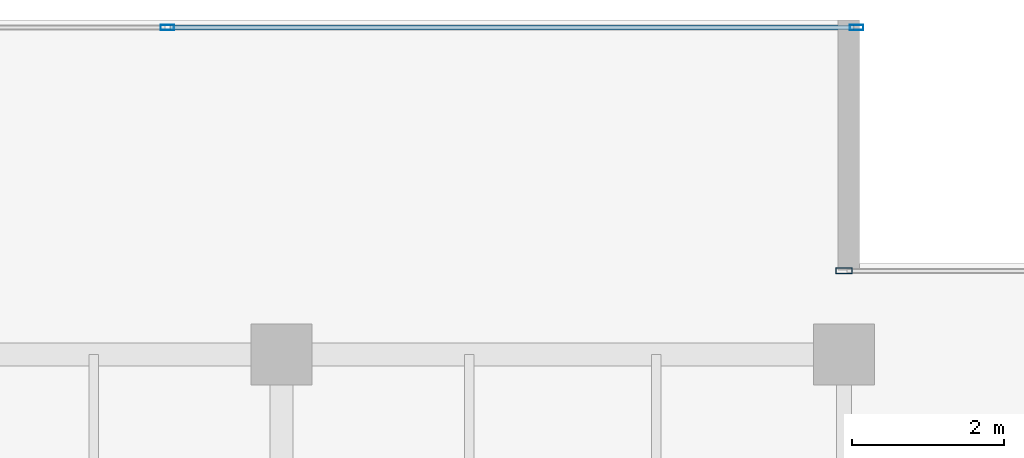
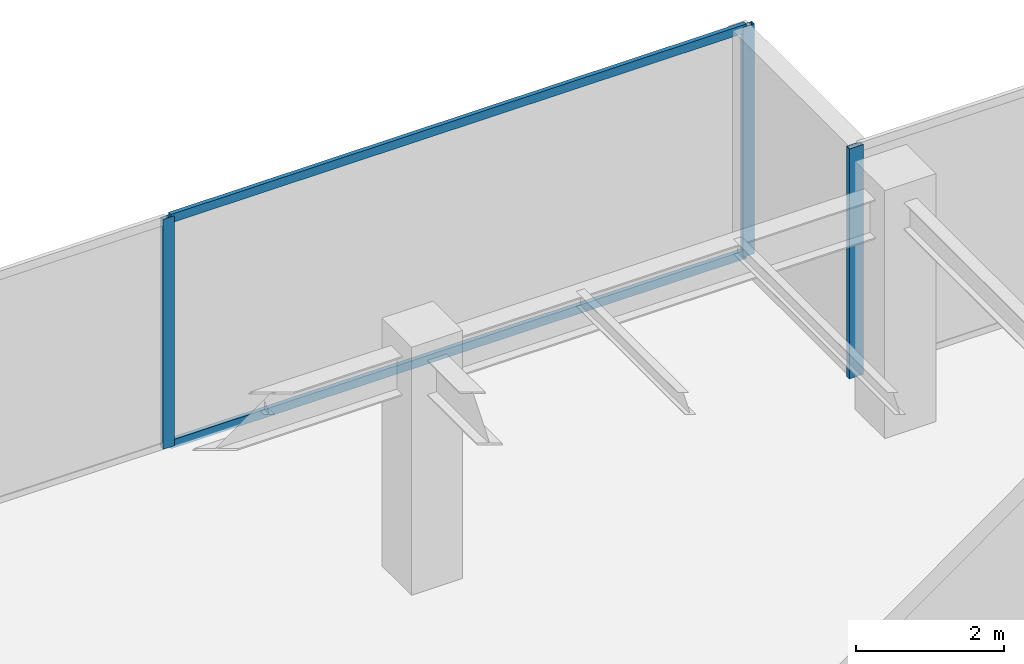
# One storey, part 21 of 33: 5 members, 2 elements without a shape of their own.
"""IFC4 building model written with IfcOpenShell, lengths in metres."""

from ifc_helpers import new_model, si_unit, direction, frame, origin, origin_2d, place, context, subcontext, project, spatial, hollow_rectangle, extrude, source, transform, mapped, material, layer, layer_set, material_profile, profile_set, type_object, type_shapes, element, aggregate, save


model = new_model("IFC4")

# Units and contexts
model_context = context("Model", 3, precision=1e-05, world=origin(), true_north=direction((0.0, 1.0)))
body_context = subcontext(model_context, "Body", "Model", "MODEL_VIEW")
ifc_project = project(units=[si_unit("LENGTHUNIT", "METRE"), si_unit("AREAUNIT", "SQUARE_METRE"), si_unit("VOLUMEUNIT", "CUBIC_METRE"), si_unit("PLANEANGLEUNIT", "RADIAN"), si_unit("MASSUNIT", "GRAM", prefix="KILO")], contexts=[model_context])

# Site, building, storey
site_placement = place(None, origin())
site = spatial("IfcSite", under=ifc_project, at=site_placement, CompositionType="ELEMENT")
building_placement = place(site_placement, origin())
building = spatial("IfcBuilding", under=site, at=building_placement, Name="Haelvirn Gate Laboratories", CompositionType="ELEMENT")
storey_placement = place(building_placement, frame((0.0, 0.0, 275.199951171875)))
storey = spatial("IfcBuildingStorey", under=building, at=storey_placement, Name="L66", CompositionType="ELEMENT", Elevation=275.199951171875)

# Curtain wall, members
ifc_material_1 = material(Name="Anodised bronze unitised aluminium & triple low-E glass", Category="aluminium")
ifc_layer_1 = layer(ifc_material_1, 0.176025390625, Name="CW-SYS-4")
ifc_layer_set_1 = layer_set([ifc_layer_1], Name="Anodised bronze unitised aluminium & triple low-E glass")
curtain_wall_type_1 = type_object("IfcCurtainWallType", Name="CW-SYS-4", PredefinedType="NOTDEFINED", material=ifc_layer_set_1)
curtain_wall_1_placement = place(storey_placement, origin())
curtain_wall_1 = element("IfcCurtainWall", 1, at=curtain_wall_1_placement, inside=storey, type_object=curtain_wall_type_1, Name="L66 Unitised Curtain Wall CW-L66-P0-E10-1", PredefinedType="NOTDEFINED")
ifc_material_2 = material(Name="Extruded aluminium 6063-T6 (anodised bronze)", Category="aluminium")
ifc_material_profile_1 = material_profile(ifc_material_2, hollow_rectangle(XDim=0.06494140625, YDim=0.139892578125, WallThickness=0.00390625, at=origin_2d()), Name="CWT-140x65x4")
ifc_profile_set_1 = profile_set([ifc_material_profile_1], Name="Extruded aluminium 6063-T6 (anodised bronze)")
member_type_1 = type_object("IfcMemberType", Name="CWT-T140", PredefinedType="USERDEFINED", material=ifc_profile_set_1)
shared_shape_1 = source(origin(), body_context, "Body", "SweptSolid", [
    extrude(hollow_rectangle(XDim=0.06494140625, YDim=0.139892578125, WallThickness=0.00390625, at=origin_2d()), origin(), (0.0, 0.0, 1.0), 8.9951171875),
])
type_shapes(member_type_1, [shared_shape_1])
member_1_placement = place(storey_placement, frame((58.534912109375, 45.89990234375, 0.032470703125), z_axis=(1.0, 0.0, 0.0), x_axis=(0.0, 1.0, 0.0)))
member_1 = element("IfcMember", 2, at=member_1_placement, type_object=member_type_1, Name="CW4 transom 2.1", ObjectType="TRANSOM", PredefinedType="USERDEFINED", context=body_context, shape_type="MappedRepresentation", body=[
    mapped(shared_shape_1, transform((0.0, 0.0, 0.0), scale=1.0)),
])
member_2_placement = place(storey_placement, frame((58.534912109375, 45.89990234375, 3.767578125), z_axis=(1.0, 0.0, 0.0), x_axis=(0.0, 1.0, 0.0)))
member_2 = element("IfcMember", 3, at=member_2_placement, type_object=member_type_1, Name="CW4 transom 2.2", ObjectType="TRANSOM", PredefinedType="USERDEFINED", context=body_context, shape_type="MappedRepresentation", body=[
    mapped(shared_shape_1, transform((0.0, 0.0, 0.0), scale=1.0)),
])
ifc_material_profile_2 = material_profile(ifc_material_2, hollow_rectangle(XDim=0.070068359375, YDim=0.179931640625, WallThickness=0.0048828125, at=origin_2d()), Name="CWM-180x70x5")
ifc_profile_set_2 = profile_set([ifc_material_profile_2], Name="Extruded aluminium 6063-T6 (anodised bronze)")
member_type_2 = type_object("IfcMemberType", Name="CWM-T180", PredefinedType="MULLION", material=ifc_profile_set_2)
shared_shape_2 = source(origin(), body_context, "Body", "SweptSolid", [
    extrude(hollow_rectangle(XDim=0.070068359375, YDim=0.179931640625, WallThickness=0.0048828125, at=origin_2d()), origin(), (0.0, 0.0, 1.0), 3.800048828125),
])
type_shapes(member_type_2, [shared_shape_2])
member_3_placement = place(storey_placement, frame((58.5, 45.89990234375, 0.0), z_axis=(0.0, 0.0, 1.0), x_axis=(0.0, 1.0, 0.0)))
member_3 = element("IfcMember", 4, at=member_3_placement, type_object=member_type_2, Name="CW4 mullion 2", PredefinedType="MULLION", context=body_context, shape_type="MappedRepresentation", body=[
    mapped(shared_shape_2, transform((0.0, 0.0, 0.0), scale=1.0)),
])
member_4_placement = place(storey_placement, frame((67.56494140625, 45.89990234375, 0.0), z_axis=(0.0, 0.0, 1.0), x_axis=(0.0, 1.0, 0.0)))
member_4 = element("IfcMember", 5, at=member_4_placement, type_object=member_type_2, Name="CW4 mullion 3", PredefinedType="MULLION", context=body_context, shape_type="MappedRepresentation", body=[
    mapped(shared_shape_2, transform((0.0, 0.0, 0.0), scale=1.0)),
])
aggregate(curtain_wall_1, [member_3, member_4, member_1, member_2])

# Curtain wall, member
ifc_layer_2 = layer(ifc_material_1, 0.181884765625, Name="CW-SYS-5")
ifc_layer_set_2 = layer_set([ifc_layer_2], Name="Anodised bronze unitised aluminium & triple low-E glass")
curtain_wall_type_2 = type_object("IfcCurtainWallType", Name="CW-SYS-5", PredefinedType="NOTDEFINED", material=ifc_layer_set_2)
curtain_wall_2_placement = place(storey_placement, origin())
curtain_wall_2 = element("IfcCurtainWall", 6, at=curtain_wall_2_placement, inside=storey, type_object=curtain_wall_type_2, Name="L66 Unitised Curtain Wall CW-L66-P0-E08-1", PredefinedType="NOTDEFINED")
ifc_material_profile_3 = material_profile(ifc_material_2, hollow_rectangle(XDim=0.080078125, YDim=0.219970703125, WallThickness=0.006103515625, at=origin_2d()), Name="CWM-220x80x6")
ifc_profile_set_3 = profile_set([ifc_material_profile_3], Name="Extruded aluminium 6063-T6 (anodised bronze)")
member_type_3 = type_object("IfcMemberType", Name="CWM-T220", PredefinedType="MULLION", material=ifc_profile_set_3)
shared_shape_3 = source(origin(), body_context, "Body", "SweptSolid", [
    extrude(hollow_rectangle(XDim=0.080078125, YDim=0.219970703125, WallThickness=0.006103515625, at=origin_2d()), origin(), (0.0, 0.0, 1.0), 3.800048828125),
])
type_shapes(member_type_3, [shared_shape_3])
member_5_placement = place(storey_placement, frame((67.39990234375, 42.699951171875, 0.0), z_axis=(0.0, 0.0, 1.0), x_axis=(0.0, 1.0, 0.0)))
member_5 = element("IfcMember", 7, at=member_5_placement, type_object=member_type_3, Name="CW5 mullion 1", PredefinedType="MULLION", context=body_context, shape_type="MappedRepresentation", body=[
    mapped(shared_shape_3, transform((0.0, 0.0, 0.0), scale=1.0)),
])
aggregate(curtain_wall_2, [member_5])

save(model, "model.ifc")
